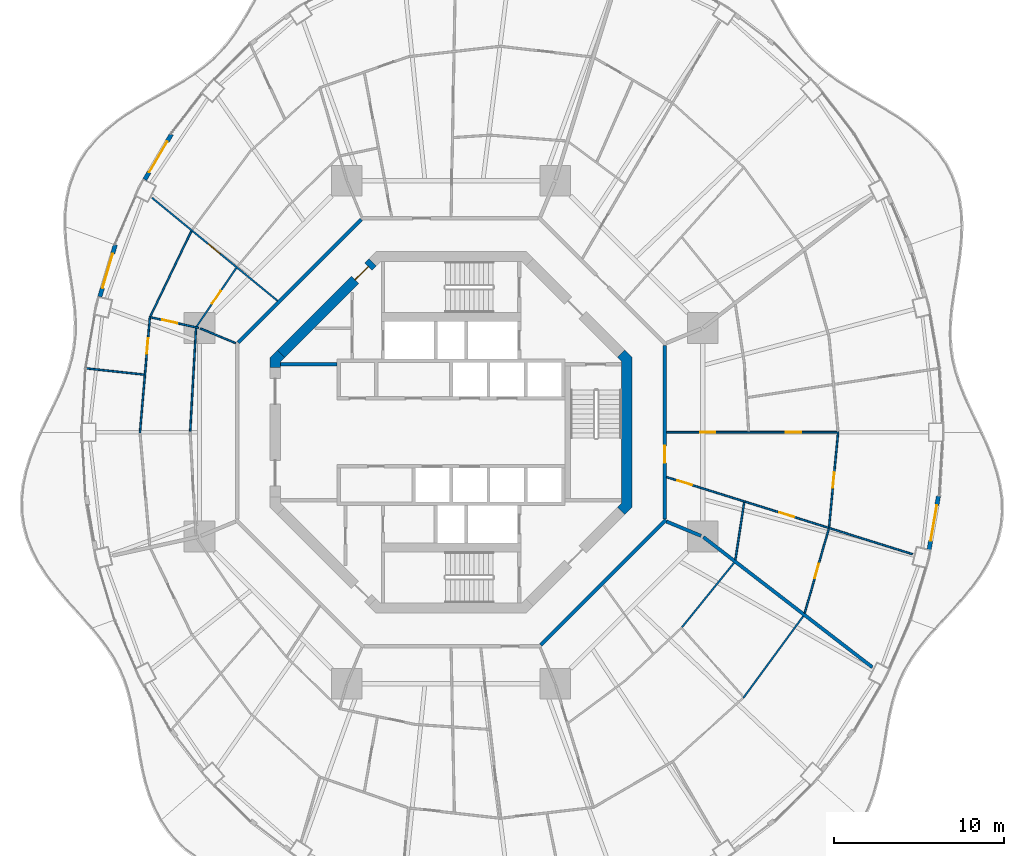
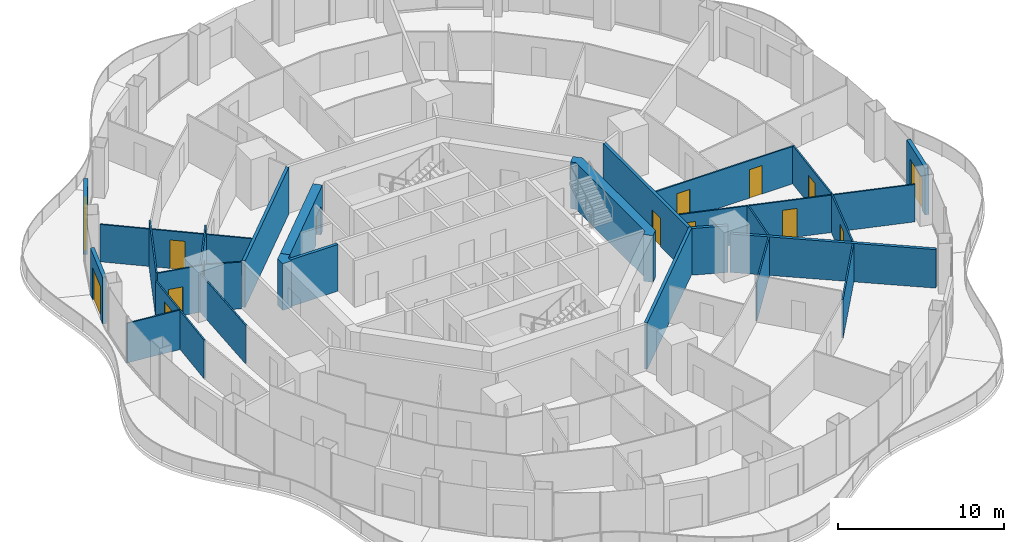
# One storey, part 13 of 19: 27 walls, 15 doors, 15 openings.
"""IFC4 building model written with IfcOpenShell, lengths in metres."""

from ifc_helpers import new_model, si_unit, direction, frame, frame_2d, origin, place, context, subcontext, project, spatial, polyline, rectangle, outline, extrude, material, layer, layer_set, type_object, element, fill, save


model = new_model("IFC4")

# Units and contexts
model_context = context("Model", 3, precision=1e-05, world=origin(), true_north=direction((0.0, 1.0)))
body_context = subcontext(model_context, "Body", "Model", "MODEL_VIEW")
ifc_project = project(units=[si_unit("LENGTHUNIT", "METRE"), si_unit("AREAUNIT", "SQUARE_METRE"), si_unit("VOLUMEUNIT", "CUBIC_METRE"), si_unit("PLANEANGLEUNIT", "RADIAN"), si_unit("MASSUNIT", "GRAM", prefix="KILO")], contexts=[model_context])

# Site, building, storey
site_placement = place(None, origin())
site = spatial("IfcSite", under=ifc_project, at=site_placement, CompositionType="ELEMENT")
building_placement = place(site_placement, origin())
building = spatial("IfcBuilding", under=site, at=building_placement, Name="Nagisa Residences", CompositionType="ELEMENT")
storey_placement = place(building_placement, frame((0.0, 0.0, 177.0)))
storey = spatial("IfcBuildingStorey", under=building, at=storey_placement, Name="L44", CompositionType="ELEMENT", Elevation=177.0)

# Walls
ifc_material_1 = material(Name="Gypsum board on steel studs", Category="steel")
ifc_layer_1 = layer(ifc_material_1, 0.199951171875)
ifc_layer_set_1 = layer_set([ifc_layer_1], Name="Apartment compartment wall EI60 200")
wall_type_1 = type_object("IfcWallType", Name="Apartment compartment wall EI60 200", PredefinedType="PARTITIONING", material=ifc_layer_set_1)
wall_1_placement = place(storey_placement, frame((12.6572265625, -5.24267578125, 0.0), z_axis=(0.0, 0.0, 1.0), x_axis=(0.92383017907, -0.382802560388, 0.0)))
element("IfcWall", 1, at=wall_1_placement, inside=storey, type_object=wall_type_1, Name="wall:L44:u06", PredefinedType="PARTITIONING", context=body_context, shape_type="SweptSolid", body=[
    extrude(rectangle(XDim=2.2001953125, YDim=0.199951171875, at=frame_2d((1.10009765625, 0.0))), origin(), (0.0, 0.0, 1.0), 3.43994140625),
])
wall_2_placement = place(storey_placement, frame((14.82177734375, -6.153564453125, 0.0), z_axis=(0.0, 0.0, 1.0), x_axis=(0.792203056092, -0.610257583254, 0.0)))
element("IfcWall", 2, at=wall_2_placement, inside=storey, type_object=wall_type_1, Name="wall:L44:u07", PredefinedType="PARTITIONING", context=body_context, shape_type="SweptSolid", body=[
    extrude(rectangle(XDim=12.53271484375, YDim=0.199951171875, at=frame_2d((6.266357421875, 0.0))), origin(), (0.0, 0.0, 1.0), 2.8369140625),
])

# Wall, opening, door
ifc_material_2 = material(Name="Gypsum board on steel studs", Category="steel")
ifc_layer_2 = layer(ifc_material_2, 0.199951171875)
ifc_layer_set_2 = layer_set([ifc_layer_2], Name="Apartment entry wall EI60 200")
wall_type_2 = type_object("IfcWallType", Name="Apartment entry wall EI60 200", PredefinedType="PARTITIONING", material=ifc_layer_set_2)
wall_3_placement = place(storey_placement, frame((12.564697265625, -5.1044921875, 0.0), z_axis=(0.0, 0.0, 1.0), x_axis=(0.0, 1.0, 0.0)))
wall_3 = element("IfcWall", 3, at=wall_3_placement, inside=storey, type_object=wall_type_2, Name="wall:L44:u08", PredefinedType="PARTITIONING", context=body_context, shape_type="SweptSolid", body=[
    extrude(rectangle(XDim=10.208984375, YDim=0.199951171875, at=frame_2d((5.1044921875, 0.0))), origin(), (0.0, 0.0, 1.0), 3.43994140625),
])
opening_1_placement = place(wall_3_placement, frame((3.303466796875, 0.0, 0.0)))
opening_1 = element("IfcOpeningElement", 4, at=opening_1_placement, cuts=wall_3, Name="Opening L44-U36", PredefinedType="OPENING", context=body_context, shape_type="SweptSolid", body=[
    extrude(rectangle(XDim=1.0, YDim=2.10009765625, at=frame_2d((0.5, 1.050048828125))), frame((0.0, 0.10986328125, 0.0), z_axis=(0.0, -1.0, 0.0), x_axis=(1.0, 0.0, 0.0)), (0.0, 0.0, 1.0), 0.219970703125),
])
ifc_material_3 = material(Name="Timber fire door set", Category="wood")
door_type_1 = type_object("IfcDoorType", Name="Apartment entry door FD30S 1000x2100", OperationType="NOTDEFINED", PredefinedType="DOOR", material=ifc_material_3)
door_1_placement = place(opening_1_placement, frame((1.0, 0.0, 0.0), x_axis=(-1.0, 0.0, 0.0)))
door_1 = element("IfcDoor", 5, at=door_1_placement, inside=storey, type_object=door_type_1, Name="Entry door, Apartment 44C", OperationType="SINGLE_SWING_LEFT", OverallHeight=2.10009765625, OverallWidth=1.0, PredefinedType="DOOR", context=body_context, shape_type="SweptSolid", body=[
    extrude(rectangle(XDim=1.0, YDim=2.10009765625, at=frame_2d((0.5, 1.050048828125))), frame((0.0, 0.02490234375, 0.0), z_axis=(0.0, -1.0, 0.0), x_axis=(1.0, 0.0, 0.0)), (0.0, 0.0, 1.0), 0.050048828125),
])
fill(opening_1, door_1)

# Walls
wall_4_placement = place(storey_placement, frame((-5.275146484375, 12.494140625, 0.0), z_axis=(0.0, 0.0, 1.0), x_axis=(-0.707106781187, -0.707106781187, 0.0)))
element("IfcWall", 6, at=wall_4_placement, inside=storey, type_object=wall_type_2, Name="wall:L44:u11", PredefinedType="PARTITIONING", context=body_context, shape_type="SweptSolid", body=[
    extrude(rectangle(XDim=10.209228515625, YDim=0.199951171875, at=frame_2d((5.1044921875, 0.0))), origin(), (0.0, 0.0, 1.0), 3.43994140625),
])
wall_5_placement = place(storey_placement, frame((5.275146484375, -12.494140625, 0.0), z_axis=(0.0, 0.0, 1.0), x_axis=(0.707106781187, 0.707106781187, 0.0)))
element("IfcWall", 7, at=wall_5_placement, inside=storey, type_object=wall_type_2, Name="wall:L44:u15", PredefinedType="PARTITIONING", context=body_context, shape_type="SweptSolid", body=[
    extrude(rectangle(XDim=10.4091796875, YDim=0.199951171875, at=frame_2d((5.20458984375, 0.0))), origin(), (0.0, 0.0, 1.0), 3.43994140625),
])

# Wall, openings, doors
ifc_material_4 = material(Name="Gypsum board on steel studs", Category="steel")
ifc_layer_3 = layer(ifc_material_4, 0.10009765625)
ifc_layer_set_3 = layer_set([ifc_layer_3], Name="Apartment partition 100")
wall_type_3 = type_object("IfcWallType", Name="Apartment partition 100", PredefinedType="PARTITIONING", material=ifc_layer_set_3)
wall_6_placement = place(storey_placement, frame((12.664794921875, 0.0, 0.0), z_axis=(0.0, 0.0, 1.0), x_axis=(1.0, 0.0, 0.0)))
wall_6 = element("IfcWall", 8, at=wall_6_placement, inside=storey, type_object=wall_type_3, Name="wall:L44:u16", PredefinedType="PARTITIONING", context=body_context, shape_type="SweptSolid", body=[
    extrude(rectangle(XDim=10.124267578125, YDim=0.10009765625, at=frame_2d((5.06201171875, 0.0))), origin(), (0.0, 0.0, 1.0), 2.756103515625),
])
opening_2_placement = place(wall_6_placement, frame((1.96142578125, 0.0, 0.0)))
opening_2 = element("IfcOpeningElement", 9, at=opening_2_placement, cuts=wall_6, Name="Opening L44-U38", PredefinedType="OPENING", context=body_context, shape_type="SweptSolid", body=[
    extrude(rectangle(XDim=0.89990234375, YDim=2.10009765625, at=frame_2d((0.449951171875, 1.050048828125))), frame((0.0, 0.06005859375, 0.0), z_axis=(0.0, -1.0, 0.0), x_axis=(1.0, 0.0, 0.0)), (0.0, 0.0, 1.0), 0.1201171875),
])
opening_3_placement = place(wall_6_placement, frame((6.998779296875, 0.0, 0.0)))
opening_3 = element("IfcOpeningElement", 10, at=opening_3_placement, cuts=wall_6, Name="Opening L44-U40", PredefinedType="OPENING", context=body_context, shape_type="SweptSolid", body=[
    extrude(rectangle(XDim=0.89990234375, YDim=2.10009765625, at=frame_2d((0.449951171875, 1.050048828125))), frame((0.0, 0.06005859375, 0.0), z_axis=(0.0, -1.0, 0.0), x_axis=(1.0, 0.0, 0.0)), (0.0, 0.0, 1.0), 0.1201171875),
])
ifc_material_5 = material(Name="Timber door set", Category="wood")
door_type_2 = type_object("IfcDoorType", Name="Apartment door 900x2100", OperationType="NOTDEFINED", PredefinedType="DOOR", material=ifc_material_5)
door_2_placement = place(opening_2_placement, origin())
door_2 = element("IfcDoor", 11, at=door_2_placement, inside=storey, type_object=door_type_2, Name="Door to laundry, Apartment 44C", OperationType="SINGLE_SWING_RIGHT", OverallHeight=2.10009765625, OverallWidth=0.89990234375, PredefinedType="DOOR", context=body_context, shape_type="SweptSolid", body=[
    extrude(rectangle(XDim=0.89990234375, YDim=2.10009765625, at=frame_2d((0.449951171875, 1.050048828125))), frame((0.0, 0.02490234375, 0.0), z_axis=(0.0, -1.0, 0.0), x_axis=(1.0, 0.0, 0.0)), (0.0, 0.0, 1.0), 0.050048828125),
])
fill(opening_2, door_2)
door_3_placement = place(opening_3_placement, origin())
door_3 = element("IfcDoor", 12, at=door_3_placement, inside=storey, type_object=door_type_2, Name="Door to family bathroom, Apartment 44C", OperationType="SINGLE_SWING_RIGHT", OverallHeight=2.10009765625, OverallWidth=0.89990234375, PredefinedType="DOOR", context=body_context, shape_type="SweptSolid", body=[
    extrude(rectangle(XDim=0.89990234375, YDim=2.10009765625, at=frame_2d((0.449951171875, 1.050048828125))), frame((0.0, 0.02490234375, 0.0), z_axis=(0.0, -1.0, 0.0), x_axis=(1.0, 0.0, 0.0)), (0.0, 0.0, 1.0), 0.050048828125),
])
fill(opening_3, door_3)

# Wall, opening, door
wall_7_placement = place(storey_placement, frame((22.734375, -0.0498046875, 0.0), z_axis=(0.0, 0.0, 1.0), x_axis=(-0.094923312677, -0.995484587882, 0.0)))
wall_7 = element("IfcWall", 13, at=wall_7_placement, inside=storey, type_object=wall_type_3, Name="wall:L44:u19", PredefinedType="PARTITIONING", context=body_context, shape_type="SweptSolid", body=[
    extrude(rectangle(XDim=5.5478515625, YDim=0.10009765625, at=frame_2d((2.77392578125, 0.0))), origin(), (0.0, 0.0, 1.0), 2.8369140625),
])
opening_4_placement = place(wall_7_placement, frame((2.323974609375, 0.0, 0.0)))
opening_4 = element("IfcOpeningElement", 14, at=opening_4_placement, cuts=wall_7, Name="Opening L44-U43", PredefinedType="OPENING", context=body_context, shape_type="SweptSolid", body=[
    extrude(rectangle(XDim=0.89990234375, YDim=2.10009765625, at=frame_2d((0.449951171875, 1.050048828125))), frame((0.0, 0.06005859375, 0.0), z_axis=(0.0, -1.0, 0.0), x_axis=(1.0, 0.0, 0.0)), (0.0, 0.0, 1.0), 0.1201171875),
])
door_4_placement = place(opening_4_placement, origin())
door_4 = element("IfcDoor", 15, at=door_4_placement, inside=storey, type_object=door_type_2, Name="Door to living room, Apartment 44C", OperationType="SINGLE_SWING_LEFT", OverallHeight=2.10009765625, OverallWidth=0.89990234375, PredefinedType="DOOR", context=body_context, shape_type="SweptSolid", body=[
    extrude(rectangle(XDim=0.89990234375, YDim=2.10009765625, at=frame_2d((0.449951171875, 1.050048828125))), frame((0.0, 0.02490234375, 0.0), z_axis=(0.0, -1.0, 0.0), x_axis=(1.0, 0.0, 0.0)), (0.0, 0.0, 1.0), 0.050048828125),
])
fill(opening_4, door_4)

wall_8_placement = place(storey_placement, frame((-10.188720703125, 7.721435546875, 0.0), z_axis=(0.0, 0.0, 1.0), x_axis=(-0.773134429339, 0.634242188892, 0.0)))
wall_8 = element("IfcWall", 16, at=wall_8_placement, inside=storey, type_object=wall_type_3, Name="wall:L44:u46", PredefinedType="PARTITIONING", context=body_context, shape_type="SweptSolid", body=[
    extrude(rectangle(XDim=9.5517578125, YDim=0.10009765625, at=frame_2d((4.77587890625, 0.0))), origin(), (0.0, 0.0, 1.0), 2.756103515625),
])
opening_5_placement = place(wall_8_placement, frame((4.366943359375, 0.0, 0.0)))
opening_5 = element("IfcOpeningElement", 17, at=opening_5_placement, cuts=wall_8, Name="Opening L44-U10", PredefinedType="OPENING", context=body_context, shape_type="SweptSolid", body=[
    extrude(rectangle(XDim=0.89990234375, YDim=2.10009765625, at=frame_2d((0.449951171875, 1.050048828125))), frame((0.0, 0.06005859375, 0.0), z_axis=(0.0, -1.0, 0.0), x_axis=(1.0, 0.0, 0.0)), (0.0, 0.0, 1.0), 0.1201171875),
])
door_5_placement = place(opening_5_placement, origin())
door_5 = element("IfcDoor", 18, at=door_5_placement, inside=storey, type_object=door_type_2, Name="Door to study, Apartment 44A", OperationType="SINGLE_SWING_RIGHT", OverallHeight=2.10009765625, OverallWidth=0.89990234375, PredefinedType="DOOR", context=body_context, shape_type="SweptSolid", body=[
    extrude(rectangle(XDim=0.89990234375, YDim=2.10009765625, at=frame_2d((0.449951171875, 1.050048828125))), frame((0.0, 0.02490234375, 0.0), z_axis=(0.0, -1.0, 0.0), x_axis=(1.0, 0.0, 0.0)), (0.0, 0.0, 1.0), 0.050048828125),
])
fill(opening_5, door_5)

wall_9_placement = place(storey_placement, frame((-12.61865234375, 9.650390625, 0.0), z_axis=(0.0, 0.0, 1.0), x_axis=(-0.561064907171, -0.827771810308, 0.0)))
wall_9 = element("IfcWall", 19, at=wall_9_placement, inside=storey, type_object=wall_type_3, Name="wall:L44:u47", PredefinedType="PARTITIONING", context=body_context, shape_type="SweptSolid", body=[
    extrude(rectangle(XDim=4.15869140625, YDim=0.10009765625, at=frame_2d((2.079345703125, 0.0))), origin(), (0.0, 0.0, 1.0), 3.43994140625),
])
opening_6_placement = place(wall_9_placement, frame((1.62939453125, 0.0, 0.0)))
opening_6 = element("IfcOpeningElement", 20, at=opening_6_placement, cuts=wall_9, Name="Opening L44-U15", PredefinedType="OPENING", context=body_context, shape_type="SweptSolid", body=[
    extrude(rectangle(XDim=0.89990234375, YDim=2.10009765625, at=frame_2d((0.449951171875, 1.050048828125))), frame((0.0, 0.06005859375, 0.0), z_axis=(0.0, -1.0, 0.0), x_axis=(1.0, 0.0, 0.0)), (0.0, 0.0, 1.0), 0.1201171875),
])
door_6_placement = place(opening_6_placement, origin())
door_6 = element("IfcDoor", 21, at=door_6_placement, inside=storey, type_object=door_type_2, Name="Door to laundry, Apartment 44A", OperationType="SINGLE_SWING_LEFT", OverallHeight=2.10009765625, OverallWidth=0.89990234375, PredefinedType="DOOR", context=body_context, shape_type="SweptSolid", body=[
    extrude(rectangle(XDim=0.89990234375, YDim=2.10009765625, at=frame_2d((0.449951171875, 1.050048828125))), frame((0.0, 0.02490234375, 0.0), z_axis=(0.0, -1.0, 0.0), x_axis=(1.0, 0.0, 0.0)), (0.0, 0.0, 1.0), 0.050048828125),
])
fill(opening_6, door_6)

# Walls
wall_10_placement = place(storey_placement, frame((-15.2568359375, 11.816162109375, 0.0), z_axis=(0.0, 0.0, 1.0), x_axis=(-0.434040130629, -0.900893536997, 0.0)))
element("IfcWall", 22, at=wall_10_placement, inside=storey, type_object=wall_type_3, Name="wall:L44:u48", PredefinedType="PARTITIONING", context=body_context, shape_type="SweptSolid", body=[
    extrude(rectangle(XDim=5.557861328125, YDim=0.10009765625, at=frame_2d((2.77880859375, 0.0))), origin(), (0.0, 0.0, 1.0), 3.43994140625),
])
wall_11_placement = place(storey_placement, frame((-12.6572265625, 5.24267578125, 0.0), z_axis=(0.0, 0.0, 1.0), x_axis=(-0.923848837015, 0.382757529444, 0.0)))
element("IfcWall", 23, at=wall_11_placement, inside=storey, type_object=wall_type_3, Name="wall:L44:u49", PredefinedType="PARTITIONING", context=body_context, shape_type="SweptSolid", body=[
    extrude(rectangle(XDim=2.249755859375, YDim=0.10009765625, at=frame_2d((1.125, 0.0))), origin(), (0.0, 0.0, 1.0), 3.43994140625),
])

# Wall, opening, door
wall_12_placement = place(storey_placement, frame((-14.830810546875, 6.133544921875, 0.0), z_axis=(0.0, 0.0, 1.0), x_axis=(-0.976560749847, 0.215241961191, 0.0)))
wall_12 = element("IfcWall", 24, at=wall_12_placement, inside=storey, type_object=wall_type_3, Name="wall:L44:u50", PredefinedType="PARTITIONING", context=body_context, shape_type="SweptSolid", body=[
    extrude(rectangle(XDim=2.878662109375, YDim=0.10009765625, at=frame_2d((1.439453125, 0.0))), origin(), (0.0, 0.0, 1.0), 3.43994140625),
])
opening_7_placement = place(wall_12_placement, frame((1.291015625, 0.0, 0.0)))
opening_7 = element("IfcOpeningElement", 25, at=opening_7_placement, cuts=wall_12, Name="Opening L44-U11", PredefinedType="OPENING", context=body_context, shape_type="SweptSolid", body=[
    extrude(rectangle(XDim=0.89990234375, YDim=2.10009765625, at=frame_2d((0.449951171875, 1.050048828125))), frame((0.0, 0.06005859375, 0.0), z_axis=(0.0, -1.0, 0.0), x_axis=(1.0, 0.0, 0.0)), (0.0, 0.0, 1.0), 0.1201171875),
])
door_7_placement = place(opening_7_placement, origin())
door_7 = element("IfcDoor", 26, at=door_7_placement, inside=storey, type_object=door_type_2, Name="Door to kitchen, Apartment 44A", OperationType="SINGLE_SWING_LEFT", OverallHeight=2.10009765625, OverallWidth=0.89990234375, PredefinedType="DOOR", context=body_context, shape_type="SweptSolid", body=[
    extrude(rectangle(XDim=0.89990234375, YDim=2.10009765625, at=frame_2d((0.449951171875, 1.050048828125))), frame((0.0, 0.02490234375, 0.0), z_axis=(0.0, -1.0, 0.0), x_axis=(1.0, 0.0, 0.0)), (0.0, 0.0, 1.0), 0.050048828125),
])
fill(opening_7, door_7)

# Wall
wall_13_placement = place(storey_placement, frame((-14.982666015625, 6.11669921875, 0.0), z_axis=(0.0, 0.0, 1.0), x_axis=(-0.056328933432, -0.998412265178, 0.0)))
element("IfcWall", 27, at=wall_13_placement, inside=storey, type_object=wall_type_3, Name="wall:L44:u51", PredefinedType="PARTITIONING", context=body_context, shape_type="SweptSolid", body=[
    extrude(rectangle(XDim=6.07666015625, YDim=0.10009765625, at=frame_2d((3.038330078125, 0.0))), origin(), (0.0, 0.0, 1.0), 2.8369140625),
])

# Wall, opening, door
wall_14_placement = place(storey_placement, frame((-17.686767578125, 6.813720703125, 0.0), z_axis=(0.0, 0.0, 1.0), x_axis=(-0.086010249709, -0.996294252189, 0.0)))
wall_14 = element("IfcWall", 28, at=wall_14_placement, inside=storey, type_object=wall_type_3, Name="wall:L44:u52", PredefinedType="PARTITIONING", context=body_context, shape_type="SweptSolid", body=[
    extrude(rectangle(XDim=6.88916015625, YDim=0.10009765625, at=frame_2d((3.444580078125, 0.0))), origin(), (0.0, 0.0, 1.0), 2.8369140625),
])
opening_8_placement = place(wall_14_placement, frame((1.29736328125, 0.0, 0.0)))
opening_8 = element("IfcOpeningElement", 29, at=opening_8_placement, cuts=wall_14, Name="Opening L44-U12", PredefinedType="OPENING", context=body_context, shape_type="SweptSolid", body=[
    extrude(rectangle(XDim=0.89990234375, YDim=2.10009765625, at=frame_2d((0.449951171875, 1.050048828125))), frame((0.0, 0.06005859375, 0.0), z_axis=(0.0, -1.0, 0.0), x_axis=(1.0, 0.0, 0.0)), (0.0, 0.0, 1.0), 0.1201171875),
])
door_8_placement = place(opening_8_placement, frame((0.89990234375, 0.0, 0.0), x_axis=(-1.0, 0.0, 0.0)))
door_8 = element("IfcDoor", 30, at=door_8_placement, inside=storey, type_object=door_type_2, Name="Door to kitchen, Apartment 44A", OperationType="SINGLE_SWING_LEFT", OverallHeight=2.10009765625, OverallWidth=0.89990234375, PredefinedType="DOOR", context=body_context, shape_type="SweptSolid", body=[
    extrude(rectangle(XDim=0.89990234375, YDim=2.10009765625, at=frame_2d((0.449951171875, 1.050048828125))), frame((0.0, 0.02490234375, 0.0), z_axis=(0.0, -1.0, 0.0), x_axis=(1.0, 0.0, 0.0)), (0.0, 0.0, 1.0), 0.050048828125),
])
fill(opening_8, door_8)

# Walls
wall_15_placement = place(storey_placement, frame((-18.03271484375, 3.387451171875, 0.0), z_axis=(0.0, 0.0, 1.0), x_axis=(-0.994194772207, 0.107595329438, 0.0)))
element("IfcWall", 31, at=wall_15_placement, inside=storey, type_object=wall_type_3, Name="wall:L44:u53", PredefinedType="PARTITIONING", context=body_context, shape_type="SweptSolid", body=[
    extrude(rectangle(XDim=3.505615234375, YDim=0.10009765625, at=frame_2d((1.7529296875, 0.0))), origin(), (0.0, 0.0, 1.0), 2.905029296875),
])
wall_16_placement = place(storey_placement, frame((13.572265625, -11.447021484375, 0.0), z_axis=(0.0, 0.0, 1.0), x_axis=(0.628738316533, 0.777616955399, 0.0)))
element("IfcWall", 32, at=wall_16_placement, inside=storey, type_object=wall_type_3, Name="wall:L44:u86", PredefinedType="PARTITIONING", context=body_context, shape_type="SweptSolid", body=[
    extrude(rectangle(XDim=4.857177734375, YDim=0.10009765625, at=frame_2d((2.4287109375, 0.0))), origin(), (0.0, 0.0, 1.0), 2.8369140625),
])
wall_17_placement = place(storey_placement, frame((17.169189453125, -15.609375, 0.0), z_axis=(0.0, 0.0, 1.0), x_axis=(0.591122127251, 0.806582066918, 0.0)))
element("IfcWall", 33, at=wall_17_placement, inside=storey, type_object=wall_type_3, Name="wall:L44:u87", PredefinedType="PARTITIONING", context=body_context, shape_type="SweptSolid", body=[
    extrude(rectangle(XDim=5.960205078125, YDim=0.10009765625, at=frame_2d((2.97998046875, 0.0))), origin(), (0.0, 0.0, 1.0), 2.8369140625),
])
wall_18_placement = place(storey_placement, frame((16.704345703125, -7.4931640625, 0.0), z_axis=(0.0, 0.0, 1.0), x_axis=(0.1510806336, 0.988521442434, 0.0)))
element("IfcWall", 34, at=wall_18_placement, inside=storey, type_object=wall_type_3, Name="wall:L44:u88", PredefinedType="PARTITIONING", context=body_context, shape_type="SweptSolid", body=[
    extrude(rectangle(XDim=3.41943359375, YDim=0.10009765625, at=frame_2d((1.709716796875, 0.0))), origin(), (0.0, 0.0, 1.0), 2.8369140625),
])

# Wall, opening, door
wall_19_placement = place(storey_placement, frame((20.77880859375, -10.625244140625, 0.0), z_axis=(0.0, 0.0, 1.0), x_axis=(0.273819702124, 0.961781040949, 0.0)))
wall_19 = element("IfcWall", 35, at=wall_19_placement, inside=storey, type_object=wall_type_3, Name="wall:L44:u89", PredefinedType="PARTITIONING", context=body_context, shape_type="SweptSolid", body=[
    extrude(rectangle(XDim=5.151611328125, YDim=0.10009765625, at=frame_2d((2.57568359375, 0.0))), origin(), (0.0, 0.0, 1.0), 2.8369140625),
])
opening_9_placement = place(wall_19_placement, frame((2.125732421875, 0.0, 0.0)))
opening_9 = element("IfcOpeningElement", 36, at=opening_9_placement, cuts=wall_19, Name="Opening L44-U42", PredefinedType="OPENING", context=body_context, shape_type="SweptSolid", body=[
    extrude(rectangle(XDim=0.89990234375, YDim=2.10009765625, at=frame_2d((0.449951171875, 1.050048828125))), frame((0.0, 0.06005859375, 0.0), z_axis=(0.0, -1.0, 0.0), x_axis=(1.0, 0.0, 0.0)), (0.0, 0.0, 1.0), 0.1201171875),
])
door_9_placement = place(opening_9_placement, frame((0.89990234375, 0.0, 0.0), x_axis=(-1.0, 0.0, 0.0)))
door_9 = element("IfcDoor", 37, at=door_9_placement, inside=storey, type_object=door_type_2, Name="Door to dining room, Apartment 44C", OperationType="SINGLE_SWING_LEFT", OverallHeight=2.10009765625, OverallWidth=0.89990234375, PredefinedType="DOOR", context=body_context, shape_type="SweptSolid", body=[
    extrude(rectangle(XDim=0.89990234375, YDim=2.10009765625, at=frame_2d((0.449951171875, 1.050048828125))), frame((0.0, 0.02490234375, 0.0), z_axis=(0.0, -1.0, 0.0), x_axis=(1.0, 0.0, 0.0)), (0.0, 0.0, 1.0), 0.050048828125),
])
fill(opening_9, door_9)

# Wall, openings, doors
wall_20_placement = place(storey_placement, frame((12.66015625, -2.632080078125, 0.0), z_axis=(0.0, 0.0, 1.0), x_axis=(0.954248738607, -0.299013954302, 0.0)))
wall_20 = element("IfcWall", 38, at=wall_20_placement, inside=storey, type_object=wall_type_3, Name="wall:L44:u90", PredefinedType="PARTITIONING", context=body_context, shape_type="SweptSolid", body=[
    extrude(rectangle(XDim=15.141845703125, YDim=0.10009765625, at=frame_2d((7.57080078125, 0.0))), origin(), (0.0, 0.0, 1.0), 2.756103515625),
])
opening_10_placement = place(wall_20_placement, frame((0.668701171875, 0.0, 0.0)))
opening_10 = element("IfcOpeningElement", 39, at=opening_10_placement, cuts=wall_20, Name="Opening L44-U37", PredefinedType="OPENING", context=body_context, shape_type="SweptSolid", body=[
    extrude(rectangle(XDim=0.89990234375, YDim=2.10009765625, at=frame_2d((0.449951171875, 1.050048828125))), frame((0.0, 0.06005859375, 0.0), z_axis=(0.0, -1.0, 0.0), x_axis=(1.0, 0.0, 0.0)), (0.0, 0.0, 1.0), 0.1201171875),
])
opening_11_placement = place(wall_20_placement, frame((6.94384765625, 0.0, 0.0)))
opening_11 = element("IfcOpeningElement", 40, at=opening_11_placement, cuts=wall_20, Name="Opening L44-U39", PredefinedType="OPENING", context=body_context, shape_type="SweptSolid", body=[
    extrude(rectangle(XDim=0.89990234375, YDim=2.10009765625, at=frame_2d((0.449951171875, 1.050048828125))), frame((0.0, 0.06005859375, 0.0), z_axis=(0.0, -1.0, 0.0), x_axis=(1.0, 0.0, 0.0)), (0.0, 0.0, 1.0), 0.1201171875),
])
door_10_placement = place(opening_10_placement, frame((0.89990234375, 0.0, 0.0), x_axis=(-1.0, 0.0, 0.0)))
door_10 = element("IfcDoor", 41, at=door_10_placement, inside=storey, type_object=door_type_2, Name="Door to store, Apartment 44C", OperationType="SINGLE_SWING_RIGHT", OverallHeight=2.10009765625, OverallWidth=0.89990234375, PredefinedType="DOOR", context=body_context, shape_type="SweptSolid", body=[
    extrude(rectangle(XDim=0.89990234375, YDim=2.10009765625, at=frame_2d((0.449951171875, 1.050048828125))), frame((0.0, 0.02490234375, 0.0), z_axis=(0.0, -1.0, 0.0), x_axis=(1.0, 0.0, 0.0)), (0.0, 0.0, 1.0), 0.050048828125),
])
fill(opening_10, door_10)
door_11_placement = place(opening_11_placement, frame((0.89990234375, 0.0, 0.0), x_axis=(-1.0, 0.0, 0.0)))
door_11 = element("IfcDoor", 42, at=door_11_placement, inside=storey, type_object=door_type_2, Name="Door to kitchen, Apartment 44C", OperationType="SINGLE_SWING_RIGHT", OverallHeight=2.10009765625, OverallWidth=0.89990234375, PredefinedType="DOOR", context=body_context, shape_type="SweptSolid", body=[
    extrude(rectangle(XDim=0.89990234375, YDim=2.10009765625, at=frame_2d((0.449951171875, 1.050048828125))), frame((0.0, 0.02490234375, 0.0), z_axis=(0.0, -1.0, 0.0), x_axis=(1.0, 0.0, 0.0)), (0.0, 0.0, 1.0), 0.050048828125),
])
fill(opening_11, door_11)

# Wall, opening, door
ifc_material_6 = material(Name="Precast concrete C40/50", Category="concrete")
ifc_layer_4 = layer(ifc_material_6, 0.25)
ifc_layer_set_4 = layer_set([ifc_layer_4], Name="BALCONY DOOR WALL 250")
wall_type_4 = type_object("IfcWallType", Name="BALCONY DOOR WALL 250", PredefinedType="SOLIDWALL", material=ifc_layer_set_4)
wall_21_placement = place(storey_placement, frame((-17.989013671875, 14.848388671875, 0.0), z_axis=(0.0, 0.0, 1.0), x_axis=(0.506309086483, 0.862352079458, 0.0)))
wall_21 = element("IfcWall", 43, at=wall_21_placement, inside=storey, type_object=wall_type_4, Name="wall:L44:bay19", PredefinedType="SOLIDWALL", context=body_context, shape_type="SweptSolid", body=[
    extrude(rectangle(XDim=3.091796875, YDim=0.25, at=frame_2d((1.5458984375, 0.0))), origin(), (0.0, 0.0, 1.0), 3.43994140625),
])
opening_12_placement = place(wall_21_placement, frame((0.495849609375, 0.0, 0.0)))
opening_12 = element("IfcOpeningElement", 44, at=opening_12_placement, cuts=wall_21, Name="Opening BD-L44-07", PredefinedType="OPENING", context=body_context, shape_type="SweptSolid", body=[
    extrude(rectangle(XDim=2.10009765625, YDim=2.39990234375, at=frame_2d((1.050048828125, 1.199951171875))), frame((0.0, 0.135009765625, 0.0), z_axis=(0.0, -1.0, 0.0), x_axis=(1.0, 0.0, 0.0)), (0.0, 0.0, 1.0), 0.27001953125),
])
ifc_material_7 = material(Name="Aluminium and clear glass", Category="aluminium")
door_type_3 = type_object("IfcDoorType", Name="BALCONY SLIDING DOOR 2100x2400", OperationType="SLIDING_TO_LEFT", PredefinedType="DOOR", material=ifc_material_7)
door_12_placement = place(opening_12_placement, origin())
door_12 = element("IfcDoor", 45, at=door_12_placement, inside=storey, type_object=door_type_3, Name="door:L44:bay19", OperationType="SLIDING_TO_LEFT", OverallHeight=2.39990234375, OverallWidth=2.10009765625, PredefinedType="DOOR", context=body_context, shape_type="SweptSolid", body=[
    extrude(rectangle(XDim=2.10009765625, YDim=2.39990234375, at=frame_2d((1.050048828125, 1.199951171875))), frame((0.0, 0.02490234375, 0.0), z_axis=(0.0, -1.0, 0.0), x_axis=(1.0, 0.0, 0.0)), (0.0, 0.0, 1.0), 0.050048828125),
])
fill(opening_12, door_12)

wall_22_placement = place(storey_placement, frame((-20.63330078125, 7.964599609375, 0.0), z_axis=(0.0, 0.0, 1.0), x_axis=(0.28584838049, 0.958274857946, 0.0)))
wall_22 = element("IfcWall", 46, at=wall_22_placement, inside=storey, type_object=wall_type_4, Name="wall:L44:bay21", PredefinedType="SOLIDWALL", context=body_context, shape_type="SweptSolid", body=[
    extrude(rectangle(XDim=3.182373046875, YDim=0.25, at=frame_2d((1.59130859375, 0.0))), origin(), (0.0, 0.0, 1.0), 3.43994140625),
])
opening_13_placement = place(wall_22_placement, frame((0.541259765625, 0.0, 0.0)))
opening_13 = element("IfcOpeningElement", 47, at=opening_13_placement, cuts=wall_22, Name="Opening BD-L44-08", PredefinedType="OPENING", context=body_context, shape_type="SweptSolid", body=[
    extrude(rectangle(XDim=2.10009765625, YDim=2.39990234375, at=frame_2d((1.050048828125, 1.199951171875))), frame((0.0, 0.135009765625, 0.0), z_axis=(0.0, -1.0, 0.0), x_axis=(1.0, 0.0, 0.0)), (0.0, 0.0, 1.0), 0.27001953125),
])
door_13_placement = place(opening_13_placement, origin())
door_13 = element("IfcDoor", 48, at=door_13_placement, inside=storey, type_object=door_type_3, Name="door:L44:bay21", OperationType="SLIDING_TO_LEFT", OverallHeight=2.39990234375, OverallWidth=2.10009765625, PredefinedType="DOOR", context=body_context, shape_type="SweptSolid", body=[
    extrude(rectangle(XDim=2.10009765625, YDim=2.39990234375, at=frame_2d((1.050048828125, 1.199951171875))), frame((0.0, 0.02490234375, 0.0), z_axis=(0.0, -1.0, 0.0), x_axis=(1.0, 0.0, 0.0)), (0.0, 0.0, 1.0), 0.050048828125),
])
fill(opening_13, door_13)

wall_23_placement = place(storey_placement, frame((28.634765625, -3.747314453125, 0.0), z_axis=(0.0, 0.0, 1.0), x_axis=(-0.172149769468, -0.985070787747, 0.0)))
wall_23 = element("IfcWall", 49, at=wall_23_placement, inside=storey, type_object=wall_type_4, Name="wall:L44:bay46", PredefinedType="SOLIDWALL", context=body_context, shape_type="SweptSolid", body=[
    extrude(rectangle(XDim=3.210693359375, YDim=0.25, at=frame_2d((1.60546875, 0.0))), origin(), (0.0, 0.0, 1.0), 3.43994140625),
])
opening_14_placement = place(wall_23_placement, frame((0.555419921875, 0.0, 0.0)))
opening_14 = element("IfcOpeningElement", 50, at=opening_14_placement, cuts=wall_23, Name="Opening BD-L44-16", PredefinedType="OPENING", context=body_context, shape_type="SweptSolid", body=[
    extrude(rectangle(XDim=2.10009765625, YDim=2.39990234375, at=frame_2d((1.050048828125, 1.199951171875))), frame((0.0, 0.135009765625, 0.0), z_axis=(0.0, -1.0, 0.0), x_axis=(1.0, 0.0, 0.0)), (0.0, 0.0, 1.0), 0.27001953125),
])
door_14_placement = place(opening_14_placement, origin())
door_14 = element("IfcDoor", 51, at=door_14_placement, inside=storey, type_object=door_type_3, Name="door:L44:bay46", OperationType="SLIDING_TO_LEFT", OverallHeight=2.39990234375, OverallWidth=2.10009765625, PredefinedType="DOOR", context=body_context, shape_type="SweptSolid", body=[
    extrude(rectangle(XDim=2.10009765625, YDim=2.39990234375, at=frame_2d((1.050048828125, 1.199951171875))), frame((0.0, 0.02490234375, 0.0), z_axis=(0.0, -1.0, 0.0), x_axis=(1.0, 0.0, 0.0)), (0.0, 0.0, 1.0), 0.050048828125),
])
fill(opening_14, door_14)

# Wall
ifc_material_8 = material(Name="Gypsum board on steel studs", Category="steel")
ifc_layer_5 = layer(ifc_material_8, 0.199951171875)
ifc_layer_set_5 = layer_set([ifc_layer_5], Name="Core partition 200")
wall_type_5 = type_object("IfcWallType", Name="Core partition 200", PredefinedType="PARTITIONING", material=ifc_layer_set_5)
wall_24_placement = place(storey_placement, frame((-10.024658203125, 4.0, 0.0), z_axis=(0.0, 0.0, 1.0), x_axis=(1.0, 0.0, 0.0)))
element("IfcWall", 52, at=wall_24_placement, inside=storey, type_object=wall_type_5, Name="wall:L44:PNW", PredefinedType="PARTITIONING", context=body_context, shape_type="SweptSolid", body=[
    extrude(rectangle(XDim=3.32470703125, YDim=0.199951171875, at=frame_2d((1.662353515625, 0.0))), origin(), (0.0, 0.0, 1.0), 3.43994140625),
])

# Wall, opening, door
ifc_material_9 = material(Name="Concrete C60", Category="concrete")
ifc_layer_6 = layer(ifc_material_9, 0.60009765625)
ifc_layer_set_6 = layer_set([ifc_layer_6], Name="Core shear wall 600")
wall_type_6 = type_object("IfcWallType", Name="Core shear wall 600", PredefinedType="SHEAR", material=ifc_layer_set_6)
wall_25_placement = place(storey_placement, frame((-4.613037109375, 9.98828125, 0.0), z_axis=(0.0, 0.0, 1.0), x_axis=(-0.707106781187, -0.707106781187, 0.0)))
wall_25 = element("IfcWall", 53, at=wall_25_placement, inside=storey, type_object=wall_type_6, Name="wall:L44:core:flat3", PredefinedType="SHEAR", context=body_context, shape_type="SweptSolid", body=[
    extrude(rectangle(XDim=7.601806640625, YDim=0.60009765625, at=frame_2d((3.80078125, 0.0))), origin(), (0.0, 0.0, 1.0), 3.43994140625),
])
opening_15_placement = place(wall_25_placement, frame((0.350830078125, 0.0, 0.0)))
opening_15 = element("IfcOpeningElement", 54, at=opening_15_placement, cuts=wall_25, Name="Opening L44-C22", PredefinedType="OPENING", context=body_context, shape_type="SweptSolid", body=[
    extrude(rectangle(XDim=1.10009765625, YDim=2.10009765625, at=frame_2d((0.550048828125, 1.050048828125))), frame((0.0, 0.31005859375, 0.0), z_axis=(0.0, -1.0, 0.0), x_axis=(1.0, 0.0, 0.0)), (0.0, 0.0, 1.0), 0.6201171875),
])
ifc_material_10 = material(Name="Steel fire door", Category="steel")
door_type_4 = type_object("IfcDoorType", Name="Fire door EI60 1100x2100 single swing", OperationType="NOTDEFINED", PredefinedType="DOOR", material=ifc_material_10)
door_15_placement = place(opening_15_placement, origin())
door_15 = element("IfcDoor", 55, at=door_15_placement, inside=storey, type_object=door_type_4, Name="Service lobby door L44", OperationType="SINGLE_SWING_LEFT", OverallHeight=2.10009765625, OverallWidth=1.10009765625, PredefinedType="DOOR", context=body_context, shape_type="SweptSolid", body=[
    extrude(rectangle(XDim=1.10009765625, YDim=2.10009765625, at=frame_2d((0.550048828125, 1.050048828125))), frame((0.0, 0.02490234375, 0.0), z_axis=(0.0, -1.0, 0.0), x_axis=(1.0, 0.0, 0.0)), (0.0, 0.0, 1.0), 0.050048828125),
])
fill(opening_15, door_15)

# Walls
wall_26_placement = place(storey_placement, origin())
element("IfcWall", 56, at=wall_26_placement, inside=storey, type_object=wall_type_6, Name="wall:L44:core:pier3", PredefinedType="SHEAR", context=body_context, shape_type="SweptSolid", body=[
    extrude(outline(polyline([(-10.200439453125, 4.8251953125), (-9.776123046875, 4.40087890625), (-10.024658203125, 4.15234375), (-10.024658203125, 3.80078125), (-10.62451171875, 3.80078125), (-10.62451171875, 4.40087890625), (-10.200439453125, 4.8251953125)])), origin(), (0.0, 0.0, 1.0), 3.43994140625),
])
wall_27_placement = place(storey_placement, origin())
element("IfcWall", 57, at=wall_27_placement, inside=storey, type_object=wall_type_6, Name="wall:L44:core:flat0", PredefinedType="SHEAR", context=body_context, shape_type="SweptSolid", body=[
    extrude(outline(polyline([(9.776123046875, -4.40087890625), (10.024658203125, -4.15234375), (10.024658203125, -3.801025390625), (10.024658203125, 4.15234375), (9.776123046875, 4.40087890625), (10.200439453125, 4.8251953125), (10.62451171875, 4.40087890625), (10.62451171875, -4.40087890625), (10.200439453125, -4.8251953125), (9.776123046875, -4.40087890625)])), origin(), (0.0, 0.0, 1.0), 3.43994140625),
])

save(model, "model.ifc")
